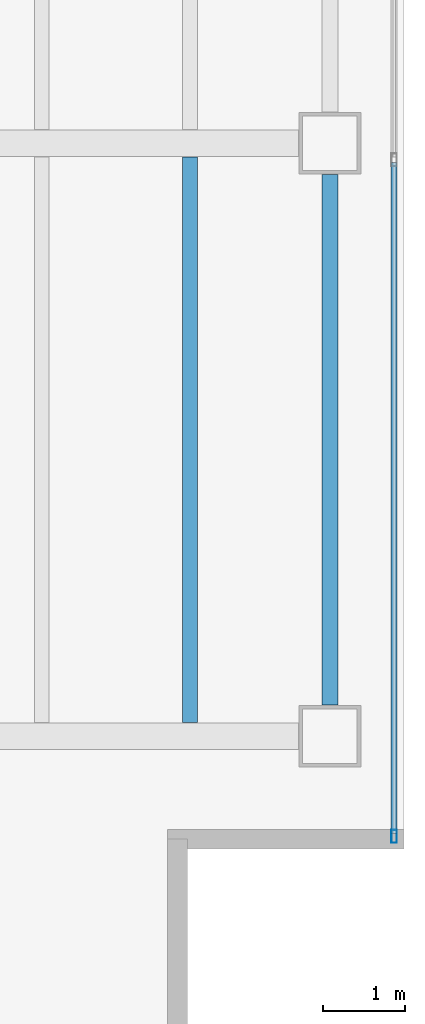
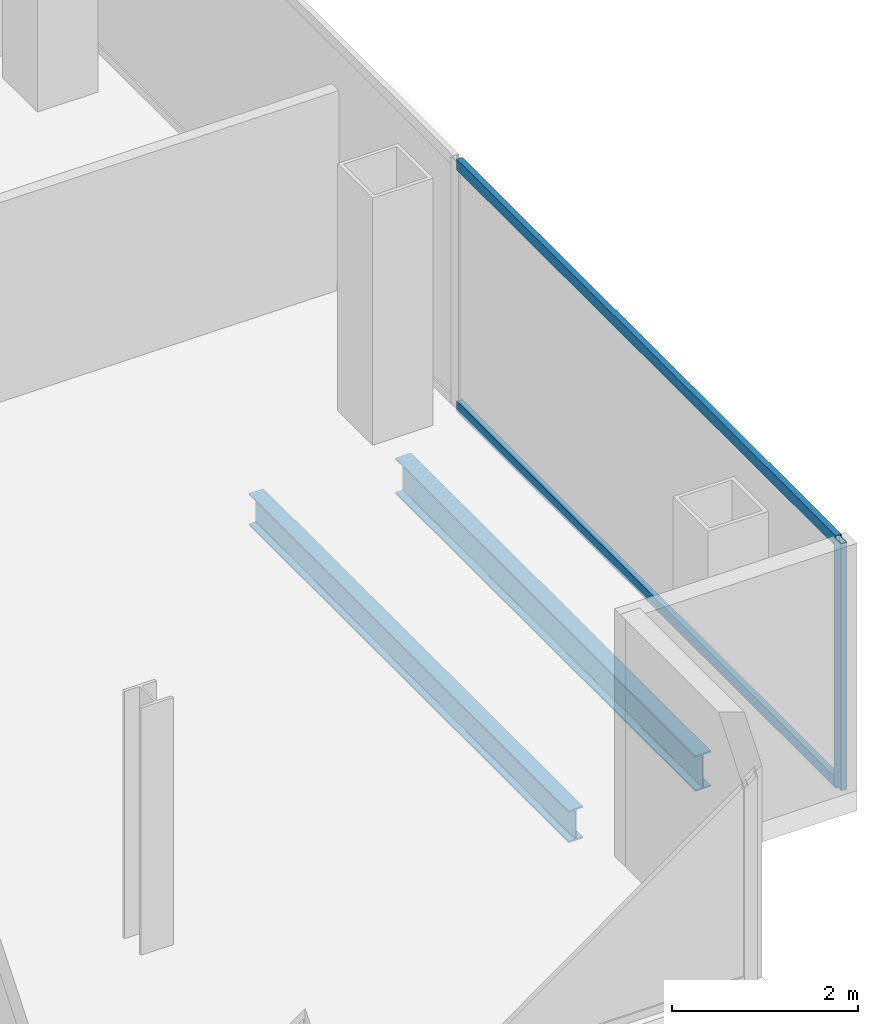
# One storey, part 12 of 23: 3 members, 2 beams, 1 element without a shape of its own.
"""IFC4 building model written with IfcOpenShell, lengths in metres."""

from ifc_helpers import new_model, si_unit, direction, frame, origin, origin_2d, place, context, subcontext, project, spatial, hollow_rectangle, i_section, extrude, material, material_profile, profile_set, type_object, element, aggregate, save


model = new_model("IFC4")

# Units and contexts
model_context = context("Model", 3, precision=1e-05, world=origin(), true_north=direction((0.0, 1.0)))
body_context = subcontext(model_context, "Body", "Model", "MODEL_VIEW")
ifc_project = project(units=[si_unit("LENGTHUNIT", "METRE"), si_unit("AREAUNIT", "SQUARE_METRE"), si_unit("VOLUMEUNIT", "CUBIC_METRE"), si_unit("PLANEANGLEUNIT", "RADIAN"), si_unit("MASSUNIT", "GRAM", prefix="KILO")], contexts=[model_context])

# Site, building, storey
site_placement = place(None, origin())
site = spatial("IfcSite", under=ifc_project, at=site_placement, CompositionType="ELEMENT")
building_placement = place(site_placement, origin())
building = spatial("IfcBuilding", under=site, at=building_placement, Name="Cobrela Telecom Tower", CompositionType="ELEMENT")
storey_placement = place(building_placement, frame((0.0, 0.0, 211.75)))
storey = spatial("IfcBuildingStorey", under=building, at=storey_placement, Name="L54", CompositionType="ELEMENT", Elevation=211.75)

# Beams
ifc_material_1 = material(Name="Steel ASTM A992 Grade 50", Category="steel")
ifc_material_profile_1 = material_profile(ifc_material_1, i_section(OverallWidth=0.179931640625, OverallDepth=0.4169921875, WebThickness=0.010986328125, FlangeThickness=0.01806640625, FilletRadius=0.011962890625, at=origin_2d()), Name="W16X57")
ifc_profile_set_1 = profile_set([ifc_material_profile_1], Name="Steel ASTM A992 Grade 50")
beam_type_1 = type_object("IfcBeamType", Name="BM-JOIST-04", PredefinedType="JOIST", material=ifc_profile_set_1)
beam_1_placement = place(storey_placement, frame((41.39990234375, 7.367431640625, -0.468505859375), z_axis=(0.0, 1.0, 0.0), x_axis=(-1.0, 0.0, 0.0)))
element("IfcBeam", 1, at=beam_1_placement, inside=storey, type_object=beam_type_1, Name="L54 Secondary Composite Floor Beam J29", PredefinedType="JOIST", context=body_context, shape_type="SweptSolid", body=[
    extrude(i_section(OverallWidth=0.179931640625, OverallDepth=0.4169921875, WebThickness=0.010986328125, FlangeThickness=0.01806640625, FilletRadius=0.011962890625, at=origin_2d()), origin(), (0.0, 0.0, 1.0), 6.864990234375),
])
ifc_material_profile_2 = material_profile(ifc_material_1, i_section(OverallWidth=0.193115234375, OverallDepth=0.467041015625, WebThickness=0.011474609375, FlangeThickness=0.01904296875, FilletRadius=0.012939453125, at=origin_2d()), Name="W18X65")
ifc_profile_set_2 = profile_set([ifc_material_profile_2], Name="Steel ASTM A992 Grade 50")
beam_type_2 = type_object("IfcBeamType", Name="BM-SPAND-05", PredefinedType="SPANDREL", material=ifc_profile_set_2)
beam_2_placement = place(storey_placement, frame((43.10009765625, 7.580078125, -0.493408203125), z_axis=(0.0, 1.0, 0.0), x_axis=(-1.0, 0.0, 0.0)))
element("IfcBeam", 2, at=beam_2_placement, inside=storey, type_object=beam_type_2, Name="L54 Perimeter Spandrel Y42", PredefinedType="SPANDREL", context=body_context, shape_type="SweptSolid", body=[
    extrude(i_section(OverallWidth=0.193115234375, OverallDepth=0.467041015625, WebThickness=0.011474609375, FlangeThickness=0.01904296875, FilletRadius=0.012939453125, at=origin_2d()), origin(), (0.0, 0.0, 1.0), 6.43994140625),
])

# Curtain wall, members
ifc_material_2 = material(Name="Anodized Bronze Aluminium 6063-T6", Category="aluminium")
curtain_wall_type = type_object("IfcCurtainWallType", Name="CW-SYS-OFF-LO", PredefinedType="USERDEFINED", material=ifc_material_2)
curtain_wall_placement = place(storey_placement, origin())
curtain_wall = element("IfcCurtainWall", 3, at=curtain_wall_placement, inside=storey, type_object=curtain_wall_type, Name="L54 Unitised Bronze Curtain Wall 14", ObjectType="UNITISED CURTAIN WALL", PredefinedType="USERDEFINED")
ifc_material_profile_3 = material_profile(ifc_material_2, hollow_rectangle(XDim=0.070068359375, YDim=0.159912109375, WallThickness=0.00390625, at=origin_2d()), Name="ALU 70x160x4")
ifc_profile_set_3 = profile_set([ifc_material_profile_3], Name="Anodized Bronze Aluminium 6063-T6")
member_type_1 = type_object("IfcMemberType", Name="CW-SYS-OFF-LO-MUL", PredefinedType="MULLION", material=ifc_profile_set_3)
member_1_placement = place(storey_placement, frame((43.8798828125, 5.985107421875, 0.0), z_axis=(0.0, 0.0, 1.0), x_axis=(1.0, 0.0, 0.0)))
member_1 = element("IfcMember", 4, at=member_1_placement, type_object=member_type_1, Name="CW-OFF-LO mullion 3", PredefinedType="MULLION", context=body_context, shape_type="SweptSolid", body=[
    extrude(hollow_rectangle(XDim=0.070068359375, YDim=0.159912109375, WallThickness=0.00390625, at=origin_2d()), origin(), (0.0, 0.0, 1.0), 3.239990234375),
])
ifc_material_profile_4 = material_profile(ifc_material_2, hollow_rectangle(XDim=0.070068359375, YDim=0.139892578125, WallThickness=0.00390625, at=origin_2d()), Name="ALU 70x140x4")
ifc_profile_set_4 = profile_set([ifc_material_profile_4], Name="Anodized Bronze Aluminium 6063-T6")
member_type_2 = type_object("IfcMemberType", Name="CW-SYS-OFF-LO-TRN", PredefinedType="USERDEFINED", material=ifc_profile_set_4)
member_2_placement = place(storey_placement, frame((43.8798828125, 14.1650390625, 0.034912109375), z_axis=(0.0, -1.0, 0.0), x_axis=(1.0, 0.0, 0.0)))
member_2 = element("IfcMember", 5, at=member_2_placement, type_object=member_type_2, Name="CW-OFF-LO transom 2.1", ObjectType="TRANSOM", PredefinedType="USERDEFINED", context=body_context, shape_type="SweptSolid", body=[
    extrude(hollow_rectangle(XDim=0.070068359375, YDim=0.139892578125, WallThickness=0.00390625, at=origin_2d()), origin(), (0.0, 0.0, 1.0), 8.14501953125),
])
member_3_placement = place(storey_placement, frame((43.8798828125, 14.1650390625, 3.205078125), z_axis=(0.0, -1.0, 0.0), x_axis=(1.0, 0.0, 0.0)))
member_3 = element("IfcMember", 6, at=member_3_placement, type_object=member_type_2, Name="CW-OFF-LO transom 2.2", ObjectType="TRANSOM", PredefinedType="USERDEFINED", context=body_context, shape_type="SweptSolid", body=[
    extrude(hollow_rectangle(XDim=0.070068359375, YDim=0.139892578125, WallThickness=0.00390625, at=origin_2d()), origin(), (0.0, 0.0, 1.0), 8.14501953125),
])
aggregate(curtain_wall, [member_1, member_2, member_3])

save(model, "model.ifc")
